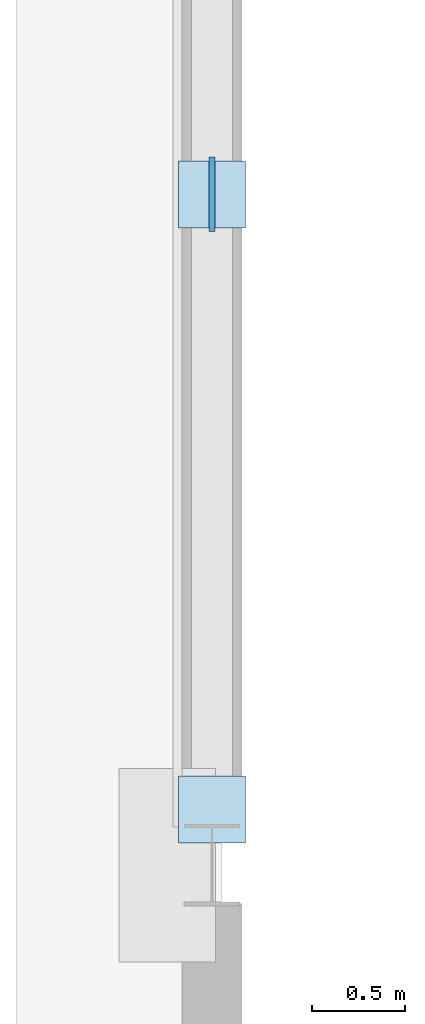
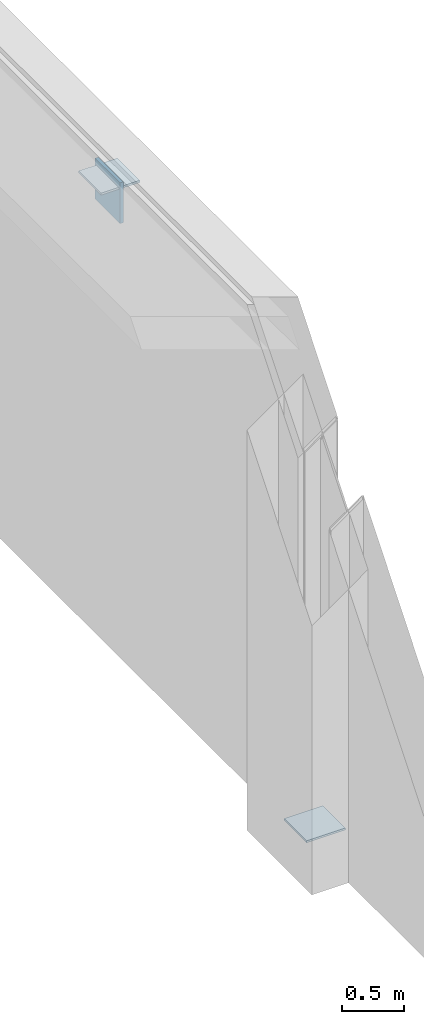
# One storey, part 52 of 82: 3 plates.
"""IFC4 building model written with IfcOpenShell, lengths in metres."""

from ifc_helpers import new_model, si_unit, direction, frame, origin, origin_2d, place, context, subcontext, project, spatial, rectangle, extrude, material, layer, layer_set, type_object, element, save


model = new_model("IFC4")

# Units and contexts
model_context = context("Model", 3, precision=1e-05, world=origin(), true_north=direction((0.0, 1.0)))
body_context = subcontext(model_context, "Body", "Model", "MODEL_VIEW")
ifc_project = project(units=[si_unit("LENGTHUNIT", "METRE"), si_unit("AREAUNIT", "SQUARE_METRE"), si_unit("VOLUMEUNIT", "CUBIC_METRE"), si_unit("PLANEANGLEUNIT", "RADIAN"), si_unit("MASSUNIT", "GRAM", prefix="KILO")], contexts=[model_context])

# Site, building, storey
site_placement = place(None, origin())
site = spatial("IfcSite", under=ifc_project, at=site_placement, CompositionType="ELEMENT")
building_placement = place(site_placement, origin())
building = spatial("IfcBuilding", under=site, at=building_placement, Name="Sardonyx Promenade Sports Hall", CompositionType="ELEMENT")
storey_placement = place(building_placement, frame((0.0, 0.0, 11.199951171875)))
storey = spatial("IfcBuildingStorey", under=building, at=storey_placement, Name="L02", CompositionType="ELEMENT", Elevation=11.199951171875)

# Plates
ifc_material_1 = material(Name="Steel S355JR", Category="steel")
ifc_layer_1 = layer(ifc_material_1, 0.02001953125)
ifc_layer_set_1 = layer_set([ifc_layer_1], Name="Plt_EndCap_EC1")
plate_type_1 = type_object("IfcPlateType", Name="Plt_EndCap_EC1", PredefinedType="USERDEFINED", material=ifc_layer_set_1)
for number, where, z_axis, x_axis, name in (
    (1, (0.0, 57.89990234375, 0.010009765625), (0.0, 0.0, 1.0), (1.0, 0.0, 0.0), "Brace foot end-cap plate EC1 BF2 L02 L1"),
    (2, (0.0, 61.199951171875, 4.35498046875), (0.0, 0.0, 1.0), (1.0, 0.0, 0.0), "Brace apex cap plate EC1 BF2 L02"),
):
    element("IfcPlate", number, at=place(storey_placement, frame(where, z_axis=z_axis, x_axis=x_axis)), inside=storey, type_object=plate_type_1, Name=name, ObjectType="END CAP PLATE", PredefinedType="USERDEFINED", context=body_context, shape_type="SweptSolid", body=[
        extrude(rectangle(XDim=0.360107421875, YDim=0.360107421875, at=origin_2d()), origin(), (0.0, 0.0, 1.0), 0.02001953125),
    ])
ifc_material_2 = material(Name="Steel S355JR", Category="steel")
ifc_layer_2 = layer(ifc_material_2, 0.030029296875)
ifc_layer_set_2 = layer_set([ifc_layer_2], Name="Plt_Gusset_KN4")
plate_type_2 = type_object("IfcPlateType", Name="Plt_Gusset_KN4", PredefinedType="USERDEFINED", material=ifc_layer_set_2)
plate_placement = place(storey_placement, frame((0.0, 61.199951171875, 4.030029296875), z_axis=(0.0, 0.0, 1.0), x_axis=(0.0, 1.0, 0.0)))
element("IfcPlate", 3, at=plate_placement, inside=storey, type_object=plate_type_2, Name="Braced-frame apex gusset KN4 BF2 L02", ObjectType="GUSSET PLATE", PredefinedType="USERDEFINED", context=body_context, shape_type="SweptSolid", body=[
    extrude(rectangle(XDim=0.39990234375, YDim=0.030029296875, at=origin_2d()), origin(), (0.0, 0.0, 1.0), 0.39990234375),
])

save(model, "model.ifc")
